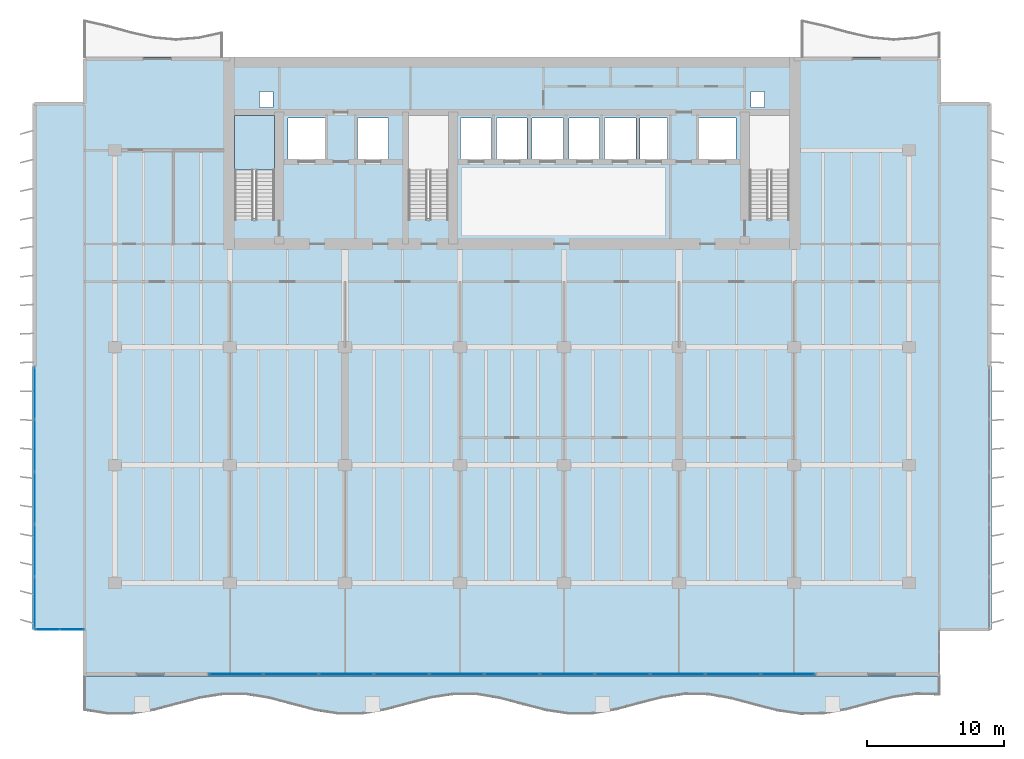
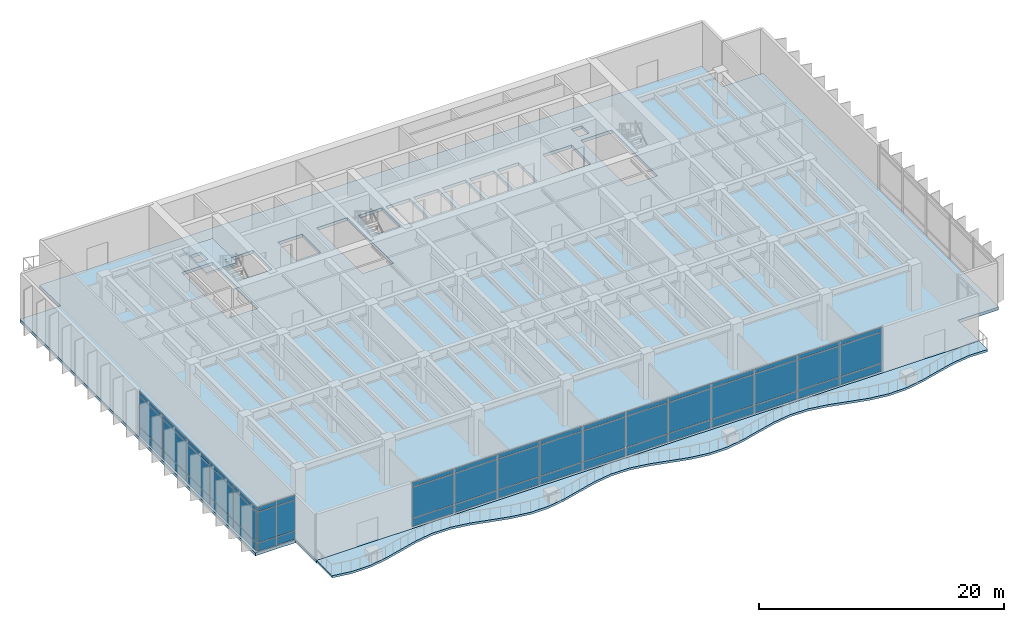
# One storey, part 7 of 16: 54 plates, 3 slabs, 4 elements without a shape of their own.
"""IFC4 building model written with IfcOpenShell, lengths in metres."""

from ifc_helpers import new_model, si_unit, direction, frame, origin, origin_2d, place, context, subcontext, project, spatial, polyline, rectangle, outline, extrude, material, layer, layer_set, type_object, element, aggregate, save


model = new_model("IFC4")

# Units and contexts
model_context = context("Model", 3, precision=1e-05, world=origin(), true_north=direction((0.0, 1.0)))
body_context = subcontext(model_context, "Body", "Model", "MODEL_VIEW")
ifc_project = project(units=[si_unit("LENGTHUNIT", "METRE"), si_unit("AREAUNIT", "SQUARE_METRE"), si_unit("VOLUMEUNIT", "CUBIC_METRE"), si_unit("PLANEANGLEUNIT", "RADIAN"), si_unit("MASSUNIT", "GRAM", prefix="KILO")], contexts=[model_context])

# Site, building, storey
site_placement = place(None, origin())
site = spatial("IfcSite", under=ifc_project, at=site_placement, CompositionType="ELEMENT")
building_placement = place(site_placement, origin())
building = spatial("IfcBuilding", under=site, at=building_placement, Name="Caelmar Bay Residences", CompositionType="ELEMENT")
storey_placement = place(building_placement, frame((0.0, 0.0, 97.800048828125)))
storey = spatial("IfcBuildingStorey", under=building, at=storey_placement, Name="L26", CompositionType="ELEMENT", Elevation=97.800048828125)

# Curtain wall, plates
ifc_material_1 = material(Name="Anodised bronze aluminium 6063-T6 and laminated glass", Category="aluminium")
ifc_layer_1 = layer(ifc_material_1, 0.179931640625)
ifc_layer_set_1 = layer_set([ifc_layer_1], Name="Anodised bronze aluminium 6063-T6 and laminated glass")
curtain_wall_type_1 = type_object("IfcCurtainWallType", Name="CW6-NTC", PredefinedType="NOTDEFINED", material=ifc_layer_set_1)
curtain_wall_1_placement = place(storey_placement, origin())
curtain_wall_1 = element("IfcCurtainWall", 1, at=curtain_wall_1_placement, inside=storey, type_object=curtain_wall_type_1, Name="CW6 curtain wall L26", PredefinedType="NOTDEFINED")
ifc_material_2 = material(Name="Bronze-tinted laminated low-E hurricane glass 28 mm", Category="glass")
ifc_layer_2 = layer(ifc_material_2, 0.028076171875)
ifc_layer_set_2 = layer_set([ifc_layer_2], Name="Bronze-tinted laminated low-E hurricane glass 28 mm")
plate_type_1 = type_object("IfcPlateType", Name="CWP-GLZ28", PredefinedType="CURTAIN_PANEL", material=ifc_layer_set_2)
plate_1_placement = place(storey_placement, frame((4.982421875, 8.800048828125, 0.080078125), z_axis=(0.0, 0.0, 1.0), x_axis=(1.0, 0.0, 0.0)))
plate_1 = element("IfcPlate", 2, at=plate_1_placement, type_object=plate_type_1, Name="CW6 panel 1.1", PredefinedType="CURTAIN_PANEL", context=body_context, shape_type="SweptSolid", body=[
    extrude(rectangle(XDim=1.705078125, YDim=0.028076171875, at=origin_2d()), origin(), (0.0, 0.0, 1.0), 0.780029296875),
])
plate_2_placement = place(storey_placement, frame((4.982421875, 8.800048828125, 0.93994140625), z_axis=(0.0, 0.0, 1.0), x_axis=(1.0, 0.0, 0.0)))
plate_2 = element("IfcPlate", 3, at=plate_2_placement, type_object=plate_type_1, Name="CW6 panel 1.2", PredefinedType="CURTAIN_PANEL", context=body_context, shape_type="SweptSolid", body=[
    extrude(rectangle(XDim=1.705078125, YDim=0.028076171875, at=origin_2d()), origin(), (0.0, 0.0, 1.0), 3.02001953125),
])
plate_3_placement = place(storey_placement, frame((4.982421875, 8.800048828125, 4.0400390625), z_axis=(0.0, 0.0, 1.0), x_axis=(1.0, 0.0, 0.0)))
plate_3 = element("IfcPlate", 4, at=plate_3_placement, type_object=plate_type_1, Name="CW6 panel 1.3", PredefinedType="CURTAIN_PANEL", context=body_context, shape_type="SweptSolid", body=[
    extrude(rectangle(XDim=1.705078125, YDim=0.028076171875, at=origin_2d()), origin(), (0.0, 0.0, 1.0), 0.429931640625),
])
plate_4_placement = place(storey_placement, frame((6.767578125, 8.800048828125, 0.080078125), z_axis=(0.0, 0.0, 1.0), x_axis=(1.0, 0.0, 0.0)))
plate_4 = element("IfcPlate", 5, at=plate_4_placement, type_object=plate_type_1, Name="CW6 panel 2.1", PredefinedType="CURTAIN_PANEL", context=body_context, shape_type="SweptSolid", body=[
    extrude(rectangle(XDim=1.705078125, YDim=0.028076171875, at=origin_2d()), origin(), (0.0, 0.0, 1.0), 0.780029296875),
])
plate_5_placement = place(storey_placement, frame((6.767578125, 8.800048828125, 0.93994140625), z_axis=(0.0, 0.0, 1.0), x_axis=(1.0, 0.0, 0.0)))
plate_5 = element("IfcPlate", 6, at=plate_5_placement, type_object=plate_type_1, Name="CW6 panel 2.2", PredefinedType="CURTAIN_PANEL", context=body_context, shape_type="SweptSolid", body=[
    extrude(rectangle(XDim=1.705078125, YDim=0.028076171875, at=origin_2d()), origin(), (0.0, 0.0, 1.0), 3.02001953125),
])
plate_6_placement = place(storey_placement, frame((6.767578125, 8.800048828125, 4.0400390625), z_axis=(0.0, 0.0, 1.0), x_axis=(1.0, 0.0, 0.0)))
plate_6 = element("IfcPlate", 7, at=plate_6_placement, type_object=plate_type_1, Name="CW6 panel 2.3", PredefinedType="CURTAIN_PANEL", context=body_context, shape_type="SweptSolid", body=[
    extrude(rectangle(XDim=1.705078125, YDim=0.028076171875, at=origin_2d()), origin(), (0.0, 0.0, 1.0), 0.429931640625),
])
aggregate(curtain_wall_1, [plate_1, plate_2, plate_3, plate_4, plate_5, plate_6])

ifc_layer_3 = layer(ifc_material_1, 0.179931640625)
ifc_layer_set_3 = layer_set([ifc_layer_3], Name="Anodised bronze aluminium 6063-T6 and laminated glass")
curtain_wall_type_2 = type_object("IfcCurtainWallType", Name="CW7-CRN", PredefinedType="NOTDEFINED", material=ifc_layer_set_3)
curtain_wall_2_placement = place(storey_placement, origin())
curtain_wall_2 = element("IfcCurtainWall", 8, at=curtain_wall_2_placement, inside=storey, type_object=curtain_wall_type_2, Name="CW7 curtain wall L26", PredefinedType="NOTDEFINED")
ifc_material_3 = material(Name="Bronze-tinted laminated low-E hurricane glass 32 mm", Category="glass")
ifc_layer_4 = layer(ifc_material_3, 0.031982421875)
ifc_layer_set_4 = layer_set([ifc_layer_4], Name="Bronze-tinted laminated low-E hurricane glass 32 mm")
plate_type_2 = type_object("IfcPlateType", Name="CWP-GLZ32", PredefinedType="CURTAIN_PANEL", material=ifc_layer_set_4)
plate_7_placement = place(storey_placement, frame((59.061767578125, 5.550048828125, 0.080078125), z_axis=(0.0, 0.0, 1.0), x_axis=(-1.0, 0.0, 0.0)))
plate_7 = element("IfcPlate", 9, at=plate_7_placement, type_object=plate_type_2, Name="CW7 panel 1.1", PredefinedType="CURTAIN_PANEL", context=body_context, shape_type="SweptSolid", body=[
    extrude(rectangle(XDim=3.916259765625, YDim=0.031982421875, at=origin_2d()), origin(), (0.0, 0.0, 1.0), 0.780029296875),
])
plate_8_placement = place(storey_placement, frame((59.061767578125, 5.550048828125, 0.93994140625), z_axis=(0.0, 0.0, 1.0), x_axis=(-1.0, 0.0, 0.0)))
plate_8 = element("IfcPlate", 10, at=plate_8_placement, type_object=plate_type_2, Name="CW7 panel 1.2", PredefinedType="CURTAIN_PANEL", context=body_context, shape_type="SweptSolid", body=[
    extrude(rectangle(XDim=3.916259765625, YDim=0.031982421875, at=origin_2d()), origin(), (0.0, 0.0, 1.0), 3.02001953125),
])
plate_9_placement = place(storey_placement, frame((59.061767578125, 5.550048828125, 4.0400390625), z_axis=(0.0, 0.0, 1.0), x_axis=(-1.0, 0.0, 0.0)))
plate_9 = element("IfcPlate", 11, at=plate_9_placement, type_object=plate_type_2, Name="CW7 panel 1.3", PredefinedType="CURTAIN_PANEL", context=body_context, shape_type="SweptSolid", body=[
    extrude(rectangle(XDim=3.916259765625, YDim=0.031982421875, at=origin_2d()), origin(), (0.0, 0.0, 1.0), 0.429931640625),
])
plate_10_placement = place(storey_placement, frame((55.04541015625, 5.550048828125, 0.080078125), z_axis=(0.0, 0.0, 1.0), x_axis=(-1.0, 0.0, 0.0)))
plate_10 = element("IfcPlate", 12, at=plate_10_placement, type_object=plate_type_2, Name="CW7 panel 2.1", PredefinedType="CURTAIN_PANEL", context=body_context, shape_type="SweptSolid", body=[
    extrude(rectangle(XDim=3.956298828125, YDim=0.031982421875, at=origin_2d()), origin(), (0.0, 0.0, 1.0), 0.780029296875),
])
plate_11_placement = place(storey_placement, frame((55.04541015625, 5.550048828125, 0.93994140625), z_axis=(0.0, 0.0, 1.0), x_axis=(-1.0, 0.0, 0.0)))
plate_11 = element("IfcPlate", 13, at=plate_11_placement, type_object=plate_type_2, Name="CW7 panel 2.2", PredefinedType="CURTAIN_PANEL", context=body_context, shape_type="SweptSolid", body=[
    extrude(rectangle(XDim=3.956298828125, YDim=0.031982421875, at=origin_2d()), origin(), (0.0, 0.0, 1.0), 3.02001953125),
])
plate_12_placement = place(storey_placement, frame((55.04541015625, 5.550048828125, 4.0400390625), z_axis=(0.0, 0.0, 1.0), x_axis=(-1.0, 0.0, 0.0)))
plate_12 = element("IfcPlate", 14, at=plate_12_placement, type_object=plate_type_2, Name="CW7 panel 2.3", PredefinedType="CURTAIN_PANEL", context=body_context, shape_type="SweptSolid", body=[
    extrude(rectangle(XDim=3.956298828125, YDim=0.031982421875, at=origin_2d()), origin(), (0.0, 0.0, 1.0), 0.429931640625),
])
plate_13_placement = place(storey_placement, frame((51.009033203125, 5.550048828125, 0.080078125), z_axis=(0.0, 0.0, 1.0), x_axis=(-1.0, 0.0, 0.0)))
plate_13 = element("IfcPlate", 15, at=plate_13_placement, type_object=plate_type_2, Name="CW7 panel 3.1", PredefinedType="CURTAIN_PANEL", context=body_context, shape_type="SweptSolid", body=[
    extrude(rectangle(XDim=3.956298828125, YDim=0.031982421875, at=origin_2d()), origin(), (0.0, 0.0, 1.0), 0.780029296875),
])
plate_14_placement = place(storey_placement, frame((51.009033203125, 5.550048828125, 0.93994140625), z_axis=(0.0, 0.0, 1.0), x_axis=(-1.0, 0.0, 0.0)))
plate_14 = element("IfcPlate", 16, at=plate_14_placement, type_object=plate_type_2, Name="CW7 panel 3.2", PredefinedType="CURTAIN_PANEL", context=body_context, shape_type="SweptSolid", body=[
    extrude(rectangle(XDim=3.956298828125, YDim=0.031982421875, at=origin_2d()), origin(), (0.0, 0.0, 1.0), 3.02001953125),
])
plate_15_placement = place(storey_placement, frame((51.009033203125, 5.550048828125, 4.0400390625), z_axis=(0.0, 0.0, 1.0), x_axis=(-1.0, 0.0, 0.0)))
plate_15 = element("IfcPlate", 17, at=plate_15_placement, type_object=plate_type_2, Name="CW7 panel 3.3", PredefinedType="CURTAIN_PANEL", context=body_context, shape_type="SweptSolid", body=[
    extrude(rectangle(XDim=3.956298828125, YDim=0.031982421875, at=origin_2d()), origin(), (0.0, 0.0, 1.0), 0.429931640625),
])
plate_16_placement = place(storey_placement, frame((46.97265625, 5.550048828125, 0.080078125), z_axis=(0.0, 0.0, 1.0), x_axis=(-1.0, 0.0, 0.0)))
plate_16 = element("IfcPlate", 18, at=plate_16_placement, type_object=plate_type_2, Name="CW7 panel 4.1", PredefinedType="CURTAIN_PANEL", context=body_context, shape_type="SweptSolid", body=[
    extrude(rectangle(XDim=3.956298828125, YDim=0.031982421875, at=origin_2d()), origin(), (0.0, 0.0, 1.0), 0.780029296875),
])
plate_17_placement = place(storey_placement, frame((46.97265625, 5.550048828125, 0.93994140625), z_axis=(0.0, 0.0, 1.0), x_axis=(-1.0, 0.0, 0.0)))
plate_17 = element("IfcPlate", 19, at=plate_17_placement, type_object=plate_type_2, Name="CW7 panel 4.2", PredefinedType="CURTAIN_PANEL", context=body_context, shape_type="SweptSolid", body=[
    extrude(rectangle(XDim=3.956298828125, YDim=0.031982421875, at=origin_2d()), origin(), (0.0, 0.0, 1.0), 3.02001953125),
])
plate_18_placement = place(storey_placement, frame((46.97265625, 5.550048828125, 4.0400390625), z_axis=(0.0, 0.0, 1.0), x_axis=(-1.0, 0.0, 0.0)))
plate_18 = element("IfcPlate", 20, at=plate_18_placement, type_object=plate_type_2, Name="CW7 panel 4.3", PredefinedType="CURTAIN_PANEL", context=body_context, shape_type="SweptSolid", body=[
    extrude(rectangle(XDim=3.956298828125, YDim=0.031982421875, at=origin_2d()), origin(), (0.0, 0.0, 1.0), 0.429931640625),
])
plate_19_placement = place(storey_placement, frame((42.936279296875, 5.550048828125, 0.080078125), z_axis=(0.0, 0.0, 1.0), x_axis=(-1.0, 0.0, 0.0)))
plate_19 = element("IfcPlate", 21, at=plate_19_placement, type_object=plate_type_2, Name="CW7 panel 5.1", PredefinedType="CURTAIN_PANEL", context=body_context, shape_type="SweptSolid", body=[
    extrude(rectangle(XDim=3.956298828125, YDim=0.031982421875, at=origin_2d()), origin(), (0.0, 0.0, 1.0), 0.780029296875),
])
plate_20_placement = place(storey_placement, frame((42.936279296875, 5.550048828125, 0.93994140625), z_axis=(0.0, 0.0, 1.0), x_axis=(-1.0, 0.0, 0.0)))
plate_20 = element("IfcPlate", 22, at=plate_20_placement, type_object=plate_type_2, Name="CW7 panel 5.2", PredefinedType="CURTAIN_PANEL", context=body_context, shape_type="SweptSolid", body=[
    extrude(rectangle(XDim=3.956298828125, YDim=0.031982421875, at=origin_2d()), origin(), (0.0, 0.0, 1.0), 3.02001953125),
])
plate_21_placement = place(storey_placement, frame((42.936279296875, 5.550048828125, 4.0400390625), z_axis=(0.0, 0.0, 1.0), x_axis=(-1.0, 0.0, 0.0)))
plate_21 = element("IfcPlate", 23, at=plate_21_placement, type_object=plate_type_2, Name="CW7 panel 5.3", PredefinedType="CURTAIN_PANEL", context=body_context, shape_type="SweptSolid", body=[
    extrude(rectangle(XDim=3.956298828125, YDim=0.031982421875, at=origin_2d()), origin(), (0.0, 0.0, 1.0), 0.429931640625),
])
plate_22_placement = place(storey_placement, frame((38.89990234375, 5.550048828125, 0.080078125), z_axis=(0.0, 0.0, 1.0), x_axis=(-1.0, 0.0, 0.0)))
plate_22 = element("IfcPlate", 24, at=plate_22_placement, type_object=plate_type_2, Name="CW7 panel 6.1", PredefinedType="CURTAIN_PANEL", context=body_context, shape_type="SweptSolid", body=[
    extrude(rectangle(XDim=3.956298828125, YDim=0.031982421875, at=origin_2d()), origin(), (0.0, 0.0, 1.0), 0.780029296875),
])
plate_23_placement = place(storey_placement, frame((38.89990234375, 5.550048828125, 0.93994140625), z_axis=(0.0, 0.0, 1.0), x_axis=(-1.0, 0.0, 0.0)))
plate_23 = element("IfcPlate", 25, at=plate_23_placement, type_object=plate_type_2, Name="CW7 panel 6.2", PredefinedType="CURTAIN_PANEL", context=body_context, shape_type="SweptSolid", body=[
    extrude(rectangle(XDim=3.956298828125, YDim=0.031982421875, at=origin_2d()), origin(), (0.0, 0.0, 1.0), 3.02001953125),
])
plate_24_placement = place(storey_placement, frame((38.89990234375, 5.550048828125, 4.0400390625), z_axis=(0.0, 0.0, 1.0), x_axis=(-1.0, 0.0, 0.0)))
plate_24 = element("IfcPlate", 26, at=plate_24_placement, type_object=plate_type_2, Name="CW7 panel 6.3", PredefinedType="CURTAIN_PANEL", context=body_context, shape_type="SweptSolid", body=[
    extrude(rectangle(XDim=3.956298828125, YDim=0.031982421875, at=origin_2d()), origin(), (0.0, 0.0, 1.0), 0.429931640625),
])
plate_25_placement = place(storey_placement, frame((34.863525390625, 5.550048828125, 0.080078125), z_axis=(0.0, 0.0, 1.0), x_axis=(-1.0, 0.0, 0.0)))
plate_25 = element("IfcPlate", 27, at=plate_25_placement, type_object=plate_type_2, Name="CW7 panel 7.1", PredefinedType="CURTAIN_PANEL", context=body_context, shape_type="SweptSolid", body=[
    extrude(rectangle(XDim=3.956298828125, YDim=0.031982421875, at=origin_2d()), origin(), (0.0, 0.0, 1.0), 0.780029296875),
])
plate_26_placement = place(storey_placement, frame((34.863525390625, 5.550048828125, 0.93994140625), z_axis=(0.0, 0.0, 1.0), x_axis=(-1.0, 0.0, 0.0)))
plate_26 = element("IfcPlate", 28, at=plate_26_placement, type_object=plate_type_2, Name="CW7 panel 7.2", PredefinedType="CURTAIN_PANEL", context=body_context, shape_type="SweptSolid", body=[
    extrude(rectangle(XDim=3.956298828125, YDim=0.031982421875, at=origin_2d()), origin(), (0.0, 0.0, 1.0), 3.02001953125),
])
plate_27_placement = place(storey_placement, frame((34.863525390625, 5.550048828125, 4.0400390625), z_axis=(0.0, 0.0, 1.0), x_axis=(-1.0, 0.0, 0.0)))
plate_27 = element("IfcPlate", 29, at=plate_27_placement, type_object=plate_type_2, Name="CW7 panel 7.3", PredefinedType="CURTAIN_PANEL", context=body_context, shape_type="SweptSolid", body=[
    extrude(rectangle(XDim=3.956298828125, YDim=0.031982421875, at=origin_2d()), origin(), (0.0, 0.0, 1.0), 0.429931640625),
])
plate_28_placement = place(storey_placement, frame((30.827392578125, 5.550048828125, 0.080078125), z_axis=(0.0, 0.0, 1.0), x_axis=(-1.0, 0.0, 0.0)))
plate_28 = element("IfcPlate", 30, at=plate_28_placement, type_object=plate_type_2, Name="CW7 panel 8.1", PredefinedType="CURTAIN_PANEL", context=body_context, shape_type="SweptSolid", body=[
    extrude(rectangle(XDim=3.956298828125, YDim=0.031982421875, at=origin_2d()), origin(), (0.0, 0.0, 1.0), 0.780029296875),
])
plate_29_placement = place(storey_placement, frame((30.827392578125, 5.550048828125, 0.93994140625), z_axis=(0.0, 0.0, 1.0), x_axis=(-1.0, 0.0, 0.0)))
plate_29 = element("IfcPlate", 31, at=plate_29_placement, type_object=plate_type_2, Name="CW7 panel 8.2", PredefinedType="CURTAIN_PANEL", context=body_context, shape_type="SweptSolid", body=[
    extrude(rectangle(XDim=3.956298828125, YDim=0.031982421875, at=origin_2d()), origin(), (0.0, 0.0, 1.0), 3.02001953125),
])
plate_30_placement = place(storey_placement, frame((30.827392578125, 5.550048828125, 4.0400390625), z_axis=(0.0, 0.0, 1.0), x_axis=(-1.0, 0.0, 0.0)))
plate_30 = element("IfcPlate", 32, at=plate_30_placement, type_object=plate_type_2, Name="CW7 panel 8.3", PredefinedType="CURTAIN_PANEL", context=body_context, shape_type="SweptSolid", body=[
    extrude(rectangle(XDim=3.956298828125, YDim=0.031982421875, at=origin_2d()), origin(), (0.0, 0.0, 1.0), 0.429931640625),
])
plate_31_placement = place(storey_placement, frame((26.791015625, 5.550048828125, 0.080078125), z_axis=(0.0, 0.0, 1.0), x_axis=(-1.0, 0.0, 0.0)))
plate_31 = element("IfcPlate", 33, at=plate_31_placement, type_object=plate_type_2, Name="CW7 panel 9.1", PredefinedType="CURTAIN_PANEL", context=body_context, shape_type="SweptSolid", body=[
    extrude(rectangle(XDim=3.956298828125, YDim=0.031982421875, at=origin_2d()), origin(), (0.0, 0.0, 1.0), 0.780029296875),
])
plate_32_placement = place(storey_placement, frame((26.791015625, 5.550048828125, 0.93994140625), z_axis=(0.0, 0.0, 1.0), x_axis=(-1.0, 0.0, 0.0)))
plate_32 = element("IfcPlate", 34, at=plate_32_placement, type_object=plate_type_2, Name="CW7 panel 9.2", PredefinedType="CURTAIN_PANEL", context=body_context, shape_type="SweptSolid", body=[
    extrude(rectangle(XDim=3.956298828125, YDim=0.031982421875, at=origin_2d()), origin(), (0.0, 0.0, 1.0), 3.02001953125),
])
plate_33_placement = place(storey_placement, frame((26.791015625, 5.550048828125, 4.0400390625), z_axis=(0.0, 0.0, 1.0), x_axis=(-1.0, 0.0, 0.0)))
plate_33 = element("IfcPlate", 35, at=plate_33_placement, type_object=plate_type_2, Name="CW7 panel 9.3", PredefinedType="CURTAIN_PANEL", context=body_context, shape_type="SweptSolid", body=[
    extrude(rectangle(XDim=3.956298828125, YDim=0.031982421875, at=origin_2d()), origin(), (0.0, 0.0, 1.0), 0.429931640625),
])
plate_34_placement = place(storey_placement, frame((22.754638671875, 5.550048828125, 0.080078125), z_axis=(0.0, 0.0, 1.0), x_axis=(-1.0, 0.0, 0.0)))
plate_34 = element("IfcPlate", 36, at=plate_34_placement, type_object=plate_type_2, Name="CW7 panel 10.1", PredefinedType="CURTAIN_PANEL", context=body_context, shape_type="SweptSolid", body=[
    extrude(rectangle(XDim=3.956298828125, YDim=0.031982421875, at=origin_2d()), origin(), (0.0, 0.0, 1.0), 0.780029296875),
])
plate_35_placement = place(storey_placement, frame((22.754638671875, 5.550048828125, 0.93994140625), z_axis=(0.0, 0.0, 1.0), x_axis=(-1.0, 0.0, 0.0)))
plate_35 = element("IfcPlate", 37, at=plate_35_placement, type_object=plate_type_2, Name="CW7 panel 10.2", PredefinedType="CURTAIN_PANEL", context=body_context, shape_type="SweptSolid", body=[
    extrude(rectangle(XDim=3.956298828125, YDim=0.031982421875, at=origin_2d()), origin(), (0.0, 0.0, 1.0), 3.02001953125),
])
plate_36_placement = place(storey_placement, frame((22.754638671875, 5.550048828125, 4.0400390625), z_axis=(0.0, 0.0, 1.0), x_axis=(-1.0, 0.0, 0.0)))
plate_36 = element("IfcPlate", 38, at=plate_36_placement, type_object=plate_type_2, Name="CW7 panel 10.3", PredefinedType="CURTAIN_PANEL", context=body_context, shape_type="SweptSolid", body=[
    extrude(rectangle(XDim=3.956298828125, YDim=0.031982421875, at=origin_2d()), origin(), (0.0, 0.0, 1.0), 0.429931640625),
])
plate_37_placement = place(storey_placement, frame((18.73828125, 5.550048828125, 0.080078125), z_axis=(0.0, 0.0, 1.0), x_axis=(-1.0, 0.0, 0.0)))
plate_37 = element("IfcPlate", 39, at=plate_37_placement, type_object=plate_type_2, Name="CW7 panel 11.1", PredefinedType="CURTAIN_PANEL", context=body_context, shape_type="SweptSolid", body=[
    extrude(rectangle(XDim=3.916259765625, YDim=0.031982421875, at=origin_2d()), origin(), (0.0, 0.0, 1.0), 0.780029296875),
])
plate_38_placement = place(storey_placement, frame((18.73828125, 5.550048828125, 0.93994140625), z_axis=(0.0, 0.0, 1.0), x_axis=(-1.0, 0.0, 0.0)))
plate_38 = element("IfcPlate", 40, at=plate_38_placement, type_object=plate_type_2, Name="CW7 panel 11.2", PredefinedType="CURTAIN_PANEL", context=body_context, shape_type="SweptSolid", body=[
    extrude(rectangle(XDim=3.916259765625, YDim=0.031982421875, at=origin_2d()), origin(), (0.0, 0.0, 1.0), 3.02001953125),
])
plate_39_placement = place(storey_placement, frame((18.73828125, 5.550048828125, 4.0400390625), z_axis=(0.0, 0.0, 1.0), x_axis=(-1.0, 0.0, 0.0)))
plate_39 = element("IfcPlate", 41, at=plate_39_placement, type_object=plate_type_2, Name="CW7 panel 11.3", PredefinedType="CURTAIN_PANEL", context=body_context, shape_type="SweptSolid", body=[
    extrude(rectangle(XDim=3.916259765625, YDim=0.031982421875, at=origin_2d()), origin(), (0.0, 0.0, 1.0), 0.429931640625),
])
aggregate(curtain_wall_2, [plate_7, plate_8, plate_9, plate_10, plate_11, plate_12, plate_13, plate_14, plate_15, plate_16, plate_17, plate_18, plate_19, plate_20, plate_21, plate_22, plate_23, plate_24, plate_25, plate_26, plate_27, plate_28, plate_29, plate_30, plate_31, plate_32, plate_33, plate_34, plate_35, plate_36, plate_37, plate_38, plate_39])

curtain_wall_3_placement = place(storey_placement, origin())
curtain_wall_3 = element("IfcCurtainWall", 42, at=curtain_wall_3_placement, inside=storey, type_object=curtain_wall_type_2, Name="CW7 curtain wall L26", PredefinedType="NOTDEFINED")
plate_40_placement = place(storey_placement, frame((4.050048828125, 10.739990234375, 0.080078125), z_axis=(0.0, 0.0, 1.0), x_axis=(0.0, 1.0, 0.0)))
plate_40 = element("IfcPlate", 43, at=plate_40_placement, type_object=plate_type_2, Name="CW7 panel 1.1", PredefinedType="CURTAIN_PANEL", context=body_context, shape_type="SweptSolid", body=[
    extrude(rectangle(XDim=3.719970703125, YDim=0.031982421875, at=origin_2d()), origin(), (0.0, 0.0, 1.0), 0.780029296875),
])
plate_41_placement = place(storey_placement, frame((4.050048828125, 10.739990234375, 0.93994140625), z_axis=(0.0, 0.0, 1.0), x_axis=(0.0, 1.0, 0.0)))
plate_41 = element("IfcPlate", 44, at=plate_41_placement, type_object=plate_type_2, Name="CW7 panel 1.2", PredefinedType="CURTAIN_PANEL", context=body_context, shape_type="SweptSolid", body=[
    extrude(rectangle(XDim=3.719970703125, YDim=0.031982421875, at=origin_2d()), origin(), (0.0, 0.0, 1.0), 3.02001953125),
])
plate_42_placement = place(storey_placement, frame((4.050048828125, 10.739990234375, 4.0400390625), z_axis=(0.0, 0.0, 1.0), x_axis=(0.0, 1.0, 0.0)))
plate_42 = element("IfcPlate", 45, at=plate_42_placement, type_object=plate_type_2, Name="CW7 panel 1.3", PredefinedType="CURTAIN_PANEL", context=body_context, shape_type="SweptSolid", body=[
    extrude(rectangle(XDim=3.719970703125, YDim=0.031982421875, at=origin_2d()), origin(), (0.0, 0.0, 1.0), 0.429931640625),
])
plate_43_placement = place(storey_placement, frame((4.050048828125, 14.56005859375, 0.080078125), z_axis=(0.0, 0.0, 1.0), x_axis=(0.0, 1.0, 0.0)))
plate_43 = element("IfcPlate", 46, at=plate_43_placement, type_object=plate_type_2, Name="CW7 panel 2.1", PredefinedType="CURTAIN_PANEL", context=body_context, shape_type="SweptSolid", body=[
    extrude(rectangle(XDim=3.760009765625, YDim=0.031982421875, at=origin_2d()), origin(), (0.0, 0.0, 1.0), 0.780029296875),
])
plate_44_placement = place(storey_placement, frame((4.050048828125, 14.56005859375, 0.93994140625), z_axis=(0.0, 0.0, 1.0), x_axis=(0.0, 1.0, 0.0)))
plate_44 = element("IfcPlate", 47, at=plate_44_placement, type_object=plate_type_2, Name="CW7 panel 2.2", PredefinedType="CURTAIN_PANEL", context=body_context, shape_type="SweptSolid", body=[
    extrude(rectangle(XDim=3.760009765625, YDim=0.031982421875, at=origin_2d()), origin(), (0.0, 0.0, 1.0), 3.02001953125),
])
plate_45_placement = place(storey_placement, frame((4.050048828125, 14.56005859375, 4.0400390625), z_axis=(0.0, 0.0, 1.0), x_axis=(0.0, 1.0, 0.0)))
plate_45 = element("IfcPlate", 48, at=plate_45_placement, type_object=plate_type_2, Name="CW7 panel 2.3", PredefinedType="CURTAIN_PANEL", context=body_context, shape_type="SweptSolid", body=[
    extrude(rectangle(XDim=3.760009765625, YDim=0.031982421875, at=origin_2d()), origin(), (0.0, 0.0, 1.0), 0.429931640625),
])
plate_46_placement = place(storey_placement, frame((4.050048828125, 18.39990234375, 0.080078125), z_axis=(0.0, 0.0, 1.0), x_axis=(0.0, 1.0, 0.0)))
plate_46 = element("IfcPlate", 49, at=plate_46_placement, type_object=plate_type_2, Name="CW7 panel 3.1", PredefinedType="CURTAIN_PANEL", context=body_context, shape_type="SweptSolid", body=[
    extrude(rectangle(XDim=3.760009765625, YDim=0.031982421875, at=origin_2d()), origin(), (0.0, 0.0, 1.0), 0.780029296875),
])
plate_47_placement = place(storey_placement, frame((4.050048828125, 18.39990234375, 0.93994140625), z_axis=(0.0, 0.0, 1.0), x_axis=(0.0, 1.0, 0.0)))
plate_47 = element("IfcPlate", 50, at=plate_47_placement, type_object=plate_type_2, Name="CW7 panel 3.2", PredefinedType="CURTAIN_PANEL", context=body_context, shape_type="SweptSolid", body=[
    extrude(rectangle(XDim=3.760009765625, YDim=0.031982421875, at=origin_2d()), origin(), (0.0, 0.0, 1.0), 3.02001953125),
])
plate_48_placement = place(storey_placement, frame((4.050048828125, 18.39990234375, 4.0400390625), z_axis=(0.0, 0.0, 1.0), x_axis=(0.0, 1.0, 0.0)))
plate_48 = element("IfcPlate", 51, at=plate_48_placement, type_object=plate_type_2, Name="CW7 panel 3.3", PredefinedType="CURTAIN_PANEL", context=body_context, shape_type="SweptSolid", body=[
    extrude(rectangle(XDim=3.760009765625, YDim=0.031982421875, at=origin_2d()), origin(), (0.0, 0.0, 1.0), 0.429931640625),
])
plate_49_placement = place(storey_placement, frame((4.050048828125, 22.239990234375, 0.080078125), z_axis=(0.0, 0.0, 1.0), x_axis=(0.0, 1.0, 0.0)))
plate_49 = element("IfcPlate", 52, at=plate_49_placement, type_object=plate_type_2, Name="CW7 panel 4.1", PredefinedType="CURTAIN_PANEL", context=body_context, shape_type="SweptSolid", body=[
    extrude(rectangle(XDim=3.760009765625, YDim=0.031982421875, at=origin_2d()), origin(), (0.0, 0.0, 1.0), 0.780029296875),
])
plate_50_placement = place(storey_placement, frame((4.050048828125, 22.239990234375, 0.93994140625), z_axis=(0.0, 0.0, 1.0), x_axis=(0.0, 1.0, 0.0)))
plate_50 = element("IfcPlate", 53, at=plate_50_placement, type_object=plate_type_2, Name="CW7 panel 4.2", PredefinedType="CURTAIN_PANEL", context=body_context, shape_type="SweptSolid", body=[
    extrude(rectangle(XDim=3.760009765625, YDim=0.031982421875, at=origin_2d()), origin(), (0.0, 0.0, 1.0), 3.02001953125),
])
plate_51_placement = place(storey_placement, frame((4.050048828125, 22.239990234375, 4.0400390625), z_axis=(0.0, 0.0, 1.0), x_axis=(0.0, 1.0, 0.0)))
plate_51 = element("IfcPlate", 54, at=plate_51_placement, type_object=plate_type_2, Name="CW7 panel 4.3", PredefinedType="CURTAIN_PANEL", context=body_context, shape_type="SweptSolid", body=[
    extrude(rectangle(XDim=3.760009765625, YDim=0.031982421875, at=origin_2d()), origin(), (0.0, 0.0, 1.0), 0.429931640625),
])
plate_52_placement = place(storey_placement, frame((4.050048828125, 26.06005859375, 0.080078125), z_axis=(0.0, 0.0, 1.0), x_axis=(0.0, 1.0, 0.0)))
plate_52 = element("IfcPlate", 55, at=plate_52_placement, type_object=plate_type_2, Name="CW7 panel 5.1", PredefinedType="CURTAIN_PANEL", context=body_context, shape_type="SweptSolid", body=[
    extrude(rectangle(XDim=3.719970703125, YDim=0.031982421875, at=origin_2d()), origin(), (0.0, 0.0, 1.0), 0.780029296875),
])
plate_53_placement = place(storey_placement, frame((4.050048828125, 26.06005859375, 0.93994140625), z_axis=(0.0, 0.0, 1.0), x_axis=(0.0, 1.0, 0.0)))
plate_53 = element("IfcPlate", 56, at=plate_53_placement, type_object=plate_type_2, Name="CW7 panel 5.2", PredefinedType="CURTAIN_PANEL", context=body_context, shape_type="SweptSolid", body=[
    extrude(rectangle(XDim=3.719970703125, YDim=0.031982421875, at=origin_2d()), origin(), (0.0, 0.0, 1.0), 3.02001953125),
])
plate_54_placement = place(storey_placement, frame((4.050048828125, 26.06005859375, 4.0400390625), z_axis=(0.0, 0.0, 1.0), x_axis=(0.0, 1.0, 0.0)))
plate_54 = element("IfcPlate", 57, at=plate_54_placement, type_object=plate_type_2, Name="CW7 panel 5.3", PredefinedType="CURTAIN_PANEL", context=body_context, shape_type="SweptSolid", body=[
    extrude(rectangle(XDim=3.719970703125, YDim=0.031982421875, at=origin_2d()), origin(), (0.0, 0.0, 1.0), 0.429931640625),
])
aggregate(curtain_wall_3, [plate_40, plate_41, plate_42, plate_43, plate_44, plate_45, plate_46, plate_47, plate_48, plate_49, plate_50, plate_51, plate_52, plate_53, plate_54])

# Slab
ifc_material_4 = material(Name="Concrete f'c 40 MPa (6,000 psi)", Category="concrete")
ifc_layer_5 = layer(ifc_material_4, 0.219970703125)
ifc_layer_set_5 = layer_set([ifc_layer_5], Name="Concrete f'c 40 MPa (6,000 psi)")
slab_type_1 = type_object("IfcSlabType", Name="SLB-BAL-220", PredefinedType="FLOOR", material=ifc_layer_set_5)
slab_1_placement = place(storey_placement, frame((0.0, 0.0, -0.219970703125)))
element("IfcSlab", 58, at=slab_1_placement, inside=storey, type_object=slab_type_1, Name="L26 Sinusoidal Tree-Balcony Slab south", PredefinedType="FLOOR", context=body_context, shape_type="SweptSolid", body=[
    extrude(outline(polyline([(7.699951171875, 2.859130859375), (9.386474609375, 2.586181640625), (11.072998046875, 2.587890625), (12.759521484375, 2.863525390625), (14.44580078125, 3.307373046875), (16.13232421875, 3.748291015625), (17.81884765625, 4.0166015625), (19.50537109375, 4.00927734375), (21.19189453125, 3.72900390625), (22.87841796875, 3.28369140625), (24.56494140625, 2.844482421875), (26.25146484375, 2.580810546875), (27.937744140625, 2.59375), (29.624267578125, 2.87841796875), (31.310791015625, 3.325439453125), (32.997314453125, 3.7626953125), (34.683837890625, 4.021728515625), (36.370361328125, 4.003173828125), (38.056884765625, 3.7138671875), (39.7431640625, 3.265380859375), (41.4296875, 2.830322265625), (43.1162109375, 2.57568359375), (44.802734375, 2.60009765625), (46.4892578125, 2.893798828125), (48.17578125, 3.343505859375), (49.8623046875, 3.77685546875), (51.548583984375, 4.026611328125), (53.235107421875, 3.99658203125), (54.921630859375, 3.698486328125), (56.608154296875, 3.247314453125), (58.294677734375, 2.816162109375), (59.981201171875, 2.5712890625), (61.66748046875, 2.606689453125), (63.35400390625, 2.9091796875), (65.04052734375, 3.36181640625), (66.72705078125, 3.790771484375), (68.41357421875, 4.03076171875), (70.10009765625, 3.989501953125), (70.10009765625, 5.39990234375), (7.699951171875, 5.39990234375), (7.699951171875, 2.859130859375)])), origin(), (0.0, 0.0, 1.0), 0.219970703125),
])

# Stair, slab
stair_type = type_object("IfcStairType", Name="ST-TAL-170", PredefinedType="HALF_TURN_STAIR", material=ifc_material_4)
stair_placement = place(storey_placement, origin())
stair = element("IfcStair", 59, at=stair_placement, inside=storey, type_object=stair_type, Name="L26 West Smokeproof Exit Stair ST1", PredefinedType="HALF_TURN_STAIR")
ifc_layer_6 = layer(ifc_material_4, 0.199951171875)
ifc_layer_set_6 = layer_set([ifc_layer_6], Name="Concrete f'c 40 MPa (6,000 psi)")
slab_type_2 = type_object("IfcSlabType", Name="SLB-LND-200", PredefinedType="LANDING", material=ifc_layer_set_6)
slab_2_placement = place(storey_placement, frame((0.0, 0.0, 2.199951171875)))
slab_2 = element("IfcSlab", 60, at=slab_2_placement, type_object=slab_type_2, Name="ST1 landing 1", PredefinedType="LANDING", context=body_context, shape_type="SweptSolid", body=[
    extrude(outline(polyline([(21.550048828125, 42.340087890625), (21.550048828125, 46.35009765625), (18.64990234375, 46.35009765625), (18.64990234375, 42.340087890625), (21.550048828125, 42.340087890625)])), origin(), (0.0, 0.0, 1.0), 0.199951171875),
])
aggregate(stair, [slab_2])

# Slab
ifc_layer_7 = layer(ifc_material_4, 0.300048828125)
ifc_layer_set_7 = layer_set([ifc_layer_7], Name="Concrete f'c 40 MPa (6,000 psi)")
slab_type_3 = type_object("IfcSlabType", Name="SLB-POD-300", PredefinedType="FLOOR", material=ifc_layer_set_7)
slab_3_placement = place(storey_placement, frame((0.0, 0.0, -0.300048828125)))
element("IfcSlab", 61, at=slab_3_placement, inside=storey, type_object=slab_type_3, Name="L26 Structural Floor Slab", PredefinedType="FLOOR", context=body_context, shape_type="SweptSolid", body=[
    extrude(outline(polyline([(7.699951171875, 5.39990234375), (70.10009765625, 5.39990234375), (70.10009765625, 8.800048828125), (73.89990234375, 8.800048828125), (73.89990234375, 47.199951171875), (70.10009765625, 47.199951171875), (70.10009765625, 50.60009765625), (7.699951171875, 50.60009765625), (7.699951171875, 47.199951171875), (3.89990234375, 47.199951171875), (3.89990234375, 8.800048828125), (7.699951171875, 8.800048828125), (7.699951171875, 5.39990234375)]), holes=[polyline([(18.64990234375, 38.85009765625), (21.550048828125, 38.85009765625), (21.550048828125, 46.35009765625), (18.64990234375, 46.35009765625), (18.64990234375, 38.85009765625)]), polyline([(56.25, 38.85009765625), (59.14990234375, 38.85009765625), (59.14990234375, 46.35009765625), (56.25, 46.35009765625), (56.25, 38.85009765625)]), polyline([(31.35009765625, 38.85009765625), (34.25, 38.85009765625), (34.25, 46.35009765625), (31.35009765625, 46.35009765625), (31.35009765625, 38.85009765625)]), polyline([(22.550048828125, 43.050048828125), (25.25, 43.050048828125), (25.25, 46.14990234375), (22.550048828125, 46.14990234375), (22.550048828125, 43.050048828125)]), polyline([(52.550048828125, 43.050048828125), (55.25, 43.050048828125), (55.25, 46.14990234375), (52.550048828125, 46.14990234375), (52.550048828125, 43.050048828125)]), polyline([(35.14990234375, 43.14990234375), (37.39990234375, 43.14990234375), (37.39990234375, 46.14990234375), (35.14990234375, 46.14990234375), (35.14990234375, 43.14990234375)]), polyline([(37.75, 43.14990234375), (40.0, 43.14990234375), (40.0, 46.14990234375), (37.75, 46.14990234375), (37.75, 43.14990234375)]), polyline([(40.35009765625, 43.14990234375), (42.64990234375, 43.14990234375), (42.64990234375, 46.14990234375), (40.35009765625, 46.14990234375), (40.35009765625, 43.14990234375)]), polyline([(43.050048828125, 43.14990234375), (45.300048828125, 43.14990234375), (45.300048828125, 46.14990234375), (43.050048828125, 46.14990234375), (43.050048828125, 43.14990234375)]), polyline([(45.64990234375, 43.14990234375), (47.949951171875, 43.14990234375), (47.949951171875, 46.14990234375), (45.64990234375, 46.14990234375), (45.64990234375, 43.14990234375)]), polyline([(48.25, 43.14990234375), (50.25, 43.14990234375), (50.25, 46.14990234375), (48.25, 46.14990234375), (48.25, 43.14990234375)]), polyline([(27.60009765625, 43.14990234375), (29.89990234375, 43.14990234375), (29.89990234375, 46.14990234375), (27.60009765625, 46.14990234375), (27.60009765625, 43.14990234375)]), polyline([(20.449951171875, 46.89990234375), (21.449951171875, 46.89990234375), (21.449951171875, 48.10009765625), (20.449951171875, 48.10009765625), (20.449951171875, 46.89990234375)]), polyline([(56.35009765625, 46.89990234375), (57.35009765625, 46.89990234375), (57.35009765625, 48.10009765625), (56.35009765625, 48.10009765625), (56.35009765625, 46.89990234375)])]), origin(), (0.0, 0.0, 1.0), 0.300048828125),
])

save(model, "model.ifc")
